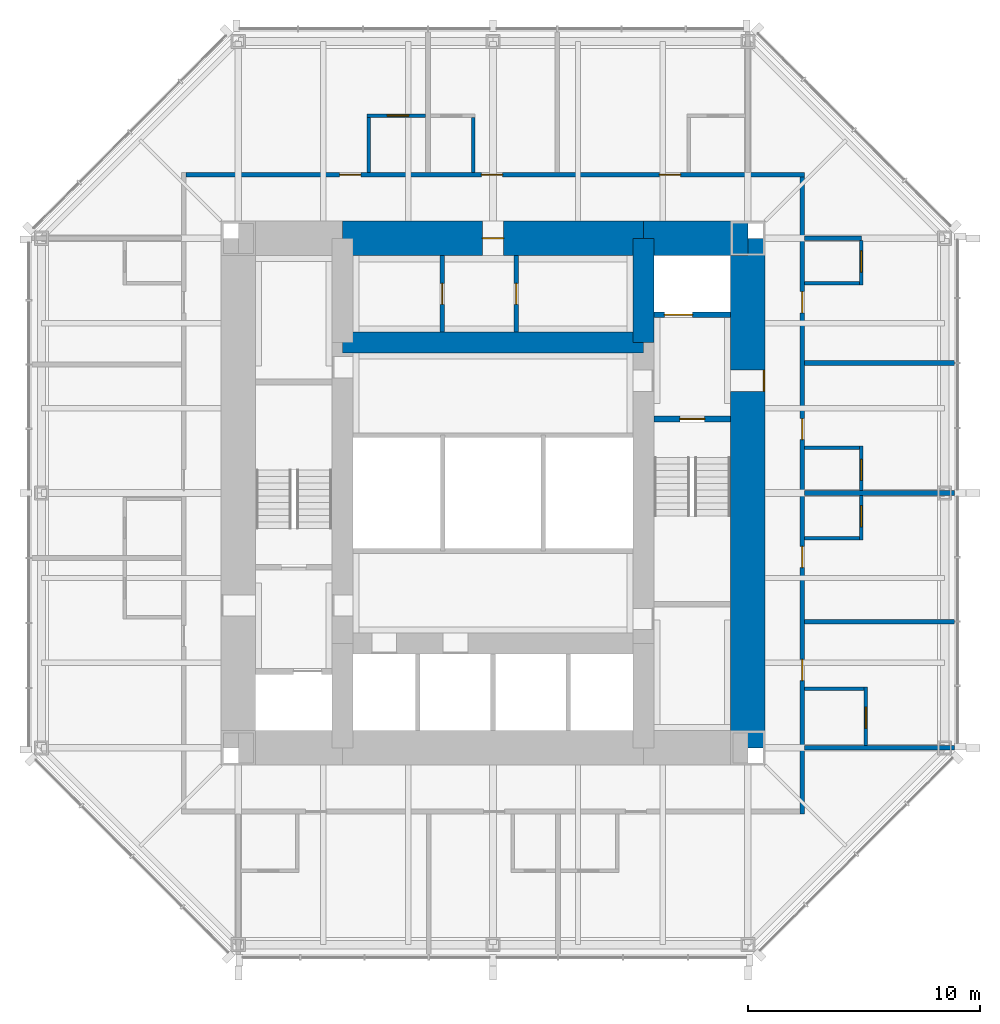
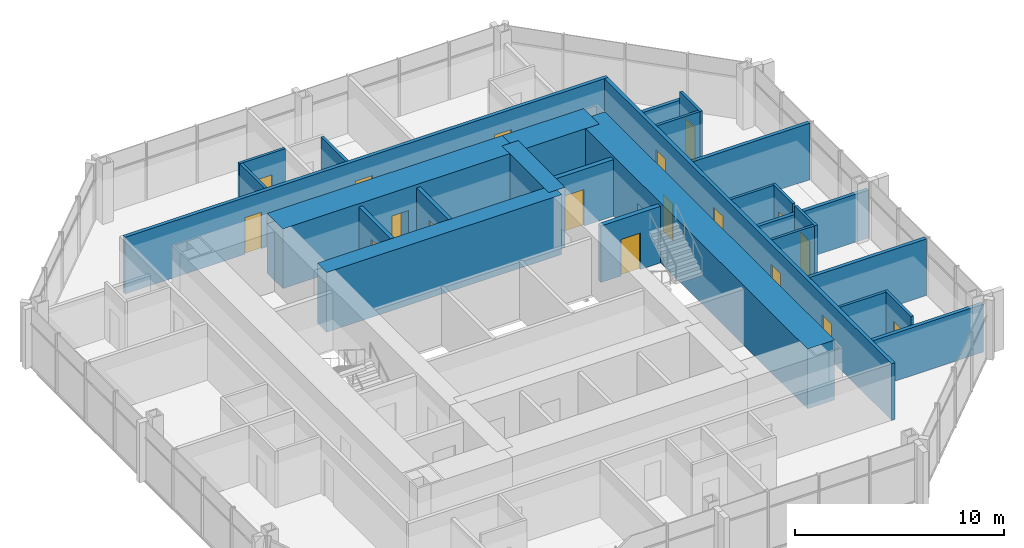
# One storey, part 9 of 11: 27 walls, 18 doors, 18 openings.
"""IFC4 building model written with IfcOpenShell, lengths in metres."""

from ifc_helpers import new_model, si_unit, direction, frame, frame_2d, origin, place, context, subcontext, project, spatial, rectangle, extrude, material, layer, layer_set, type_object, element, fill, save


model = new_model("IFC4")

# Units and contexts
model_context = context("Model", 3, precision=1e-05, world=origin(), true_north=direction((0.0, 1.0)))
body_context = subcontext(model_context, "Body", "Model", "MODEL_VIEW")
ifc_project = project(units=[si_unit("LENGTHUNIT", "METRE"), si_unit("AREAUNIT", "SQUARE_METRE"), si_unit("VOLUMEUNIT", "CUBIC_METRE"), si_unit("PLANEANGLEUNIT", "RADIAN"), si_unit("MASSUNIT", "GRAM", prefix="KILO")], contexts=[model_context])

# Site, building, storey
site_placement = place(None, origin())
site = spatial("IfcSite", under=ifc_project, at=site_placement, CompositionType="ELEMENT")
building_placement = place(site_placement, origin())
building = spatial("IfcBuilding", under=site, at=building_placement, Name="Trevanion Tower", CompositionType="ELEMENT")
storey_placement = place(building_placement, frame((0.0, 0.0, 215.199951171875)))
storey = spatial("IfcBuildingStorey", under=building, at=storey_placement, Name="L51", CompositionType="ELEMENT", Elevation=215.199951171875)

# Wall, opening, door
ifc_material_1 = material(Name="Concrete 10,000 psi", Category="concrete")
ifc_layer_1 = layer(ifc_material_1, 1.5)
ifc_layer_set_1 = layer_set([ifc_layer_1], Name="CW1 core wall 1500")
wall_type_1 = type_object("IfcWallType", Name="CW1 core wall 1500", PredefinedType="SHEAR", material=ifc_layer_set_1)
wall_1_placement = place(storey_placement, frame((11.0, -11.0, 0.0), z_axis=(0.0, 0.0, 1.0), x_axis=(0.0, 1.0, 0.0)))
wall_1 = element("IfcWall", 1, at=wall_1_placement, inside=storey, type_object=wall_type_1, Name="CW1 CE L51", PredefinedType="SHEAR", context=body_context, shape_type="SweptSolid", body=[
    extrude(rectangle(XDim=22.0, YDim=1.5, at=frame_2d((11.0, 0.0))), origin(), (0.0, 0.0, 1.0), 3.5),
])
opening_1_placement = place(wall_1_placement, frame((15.392578125, 0.0, 0.0)))
opening_1 = element("IfcOpeningElement", 2, at=opening_1_placement, cuts=wall_1, Name="Opening 51-001", PredefinedType="OPENING", context=body_context, shape_type="SweptSolid", body=[
    extrude(rectangle(XDim=0.9150390625, YDim=2.134033203125, at=frame_2d((0.45751953125, 1.06689453125))), frame((0.0, 0.760009765625, 0.0), z_axis=(0.0, -1.0, 0.0), x_axis=(1.0, 0.0, 0.0)), (0.0, 0.0, 1.0), 1.52001953125),
])
ifc_material_2 = material(Name="Hollow metal, fire rated", Category="steel")
door_type_1 = type_object("IfcDoorType", Name="D3 fire lift lobby door", OperationType="SINGLE_SWING_RIGHT", PredefinedType="DOOR", material=ifc_material_2)
door_1_placement = place(opening_1_placement, origin())
door_1 = element("IfcDoor", 3, at=door_1_placement, inside=storey, type_object=door_type_1, Name="Door 51-001", OperationType="SINGLE_SWING_RIGHT", OverallHeight=2.134033203125, OverallWidth=0.9150390625, PredefinedType="DOOR", context=body_context, shape_type="SweptSolid", body=[
    extrude(rectangle(XDim=0.9150390625, YDim=2.134033203125, at=frame_2d((0.45751953125, 1.06689453125))), frame((0.0, -0.6748046875, 0.0), z_axis=(0.0, -1.0, 0.0), x_axis=(1.0, 0.0, 0.0)), (0.0, 0.0, 1.0), 0.050048828125),
])
fill(opening_1, door_1)

# Wall
wall_2_placement = place(storey_placement, frame((11.0, 11.0, 0.0), z_axis=(0.0, 0.0, 1.0), x_axis=(-1.0, 0.0, 0.0)))
element("IfcWall", 4, at=wall_2_placement, inside=storey, type_object=wall_type_1, Name="CW1 CN1 L51", PredefinedType="SHEAR", context=body_context, shape_type="SweptSolid", body=[
    extrude(rectangle(XDim=4.5, YDim=1.5, at=frame_2d((2.25, 0.0))), origin(), (0.0, 0.0, 1.0), 3.5),
])

# Wall, opening, door
wall_3_placement = place(storey_placement, frame((6.5, 11.0, 0.0), z_axis=(0.0, 0.0, 1.0), x_axis=(-1.0, 0.0, 0.0)))
wall_3 = element("IfcWall", 5, at=wall_3_placement, inside=storey, type_object=wall_type_1, Name="CW1 CN2 L51", PredefinedType="SHEAR", context=body_context, shape_type="SweptSolid", body=[
    extrude(rectangle(XDim=13.0, YDim=1.5, at=frame_2d((6.5, 0.0))), origin(), (0.0, 0.0, 1.0), 3.5),
])
opening_2_placement = place(wall_3_placement, frame((6.04248046875, 0.0, 0.0)))
opening_2 = element("IfcOpeningElement", 6, at=opening_2_placement, cuts=wall_3, Name="Opening 51-013", PredefinedType="OPENING", context=body_context, shape_type="SweptSolid", body=[
    extrude(rectangle(XDim=0.9150390625, YDim=2.134033203125, at=frame_2d((0.45751953125, 1.06689453125))), frame((0.0, 0.760009765625, 0.0), z_axis=(0.0, -1.0, 0.0), x_axis=(1.0, 0.0, 0.0)), (0.0, 0.0, 1.0), 1.52001953125),
])
ifc_material_3 = material(Name="Hollow metal, fire rated", Category="steel")
door_type_2 = type_object("IfcDoorType", Name="D5 service room door", OperationType="SINGLE_SWING_RIGHT", PredefinedType="DOOR", material=ifc_material_3)
door_2_placement = place(opening_2_placement, origin())
door_2 = element("IfcDoor", 7, at=door_2_placement, inside=storey, type_object=door_type_2, Name="Door 51-013", OperationType="SINGLE_SWING_RIGHT", OverallHeight=2.134033203125, OverallWidth=0.9150390625, PredefinedType="DOOR", context=body_context, shape_type="SweptSolid", body=[
    extrude(rectangle(XDim=0.9150390625, YDim=2.134033203125, at=frame_2d((0.45751953125, 1.06689453125))), frame((0.0, 0.02490234375, 0.0), z_axis=(0.0, -1.0, 0.0), x_axis=(1.0, 0.0, 0.0)), (0.0, 0.0, 1.0), 0.050048828125),
])
fill(opening_2, door_2)

# Walls
ifc_material_4 = material(Name="Concrete 10,000 psi", Category="concrete")
ifc_layer_2 = layer(ifc_material_4, 0.89990234375)
ifc_layer_set_2 = layer_set([ifc_layer_2], Name="CW2 core wall 900")
wall_type_2 = type_object("IfcWallType", Name="CW2 core wall 900", PredefinedType="SHEAR", material=ifc_layer_set_2)
wall_4_placement = place(storey_placement, frame((6.5, 6.5, 0.0), z_axis=(0.0, 0.0, 1.0), x_axis=(0.0, 1.0, 0.0)))
element("IfcWall", 8, at=wall_4_placement, inside=storey, type_object=wall_type_2, Name="CW2 RE3 L51", PredefinedType="SHEAR", context=body_context, shape_type="SweptSolid", body=[
    extrude(rectangle(XDim=4.5, YDim=0.89990234375, at=frame_2d((2.25, 0.0))), origin(), (0.0, 0.0, 1.0), 3.5),
])
wall_5_placement = place(storey_placement, frame((6.5, 6.5, 0.0), z_axis=(0.0, 0.0, 1.0), x_axis=(-1.0, 0.0, 0.0)))
element("IfcWall", 9, at=wall_5_placement, inside=storey, type_object=wall_type_2, Name="CW2 RN L51", PredefinedType="SHEAR", context=body_context, shape_type="SweptSolid", body=[
    extrude(rectangle(XDim=13.0, YDim=0.89990234375, at=frame_2d((6.5, 0.0))), origin(), (0.0, 0.0, 1.0), 3.5),
])

# Wall, opening, door
ifc_material_5 = material(Name="Gypsum board on steel studs", Category="steel")
ifc_layer_3 = layer(ifc_material_5, 0.14990234375)
ifc_layer_set_3 = layer_set([ifc_layer_3], Name="PT1 partition 150")
wall_type_3 = type_object("IfcWallType", Name="PT1 partition 150", PredefinedType="PARTITIONING", material=ifc_layer_set_3)
wall_6_placement = place(storey_placement, frame((16.10009765625, -10.89990234375, 0.0), z_axis=(0.0, 0.0, 1.0), x_axis=(0.0, 1.0, 0.0)))
wall_6 = element("IfcWall", 10, at=wall_6_placement, inside=storey, type_object=wall_type_3, Name="PT1 L51 BA00", PredefinedType="PARTITIONING", context=body_context, shape_type="SweptSolid", body=[
    extrude(rectangle(XDim=2.52490234375, YDim=0.14990234375, at=frame_2d((1.262451171875, 0.0))), origin(), (0.0, 0.0, 1.0), 3.31005859375),
])
opening_3_placement = place(wall_6_placement, frame((0.742431640625, 0.0, 0.0)))
opening_3 = element("IfcOpeningElement", 11, at=opening_3_placement, cuts=wall_6, Name="Opening 51-016", PredefinedType="OPENING", context=body_context, shape_type="SweptSolid", body=[
    extrude(rectangle(XDim=0.9150390625, YDim=2.031982421875, at=frame_2d((0.45751953125, 1.01611328125))), frame((0.0, 0.0849609375, 0.0), z_axis=(0.0, -1.0, 0.0), x_axis=(1.0, 0.0, 0.0)), (0.0, 0.0, 1.0), 0.169921875),
])
ifc_material_6 = material(Name="Timber veneer", Category="wood")
door_type_3 = type_object("IfcDoorType", Name="D7 bathroom door", OperationType="SINGLE_SWING_LEFT", PredefinedType="DOOR", material=ifc_material_6)
door_3_placement = place(opening_3_placement, origin())
door_3 = element("IfcDoor", 12, at=door_3_placement, inside=storey, type_object=door_type_3, Name="Door 51-016", OperationType="SINGLE_SWING_LEFT", OverallHeight=2.031982421875, OverallWidth=0.9150390625, PredefinedType="DOOR", context=body_context, shape_type="SweptSolid", body=[
    extrude(rectangle(XDim=0.9150390625, YDim=2.031982421875, at=frame_2d((0.45751953125, 1.01611328125))), frame((0.0, 0.02490234375, 0.0), z_axis=(0.0, -1.0, 0.0), x_axis=(1.0, 0.0, 0.0)), (0.0, 0.0, 1.0), 0.050048828125),
])
fill(opening_3, door_3)

# Wall
wall_7_placement = place(storey_placement, frame((13.449951171875, -8.449951171875, 0.0), z_axis=(0.0, 0.0, 1.0), x_axis=(1.0, 0.0, 0.0)))
element("IfcWall", 13, at=wall_7_placement, inside=storey, type_object=wall_type_3, Name="PT1 L51 BB00", PredefinedType="PARTITIONING", context=body_context, shape_type="SweptSolid", body=[
    extrude(rectangle(XDim=2.574951171875, YDim=0.14990234375, at=frame_2d((1.28759765625, 0.0))), origin(), (0.0, 0.0, 1.0), 3.31005859375),
])

# Wall, opening, door
wall_8_placement = place(storey_placement, frame((15.89990234375, -2.02490234375, 0.0), z_axis=(0.0, 0.0, 1.0), x_axis=(0.0, 1.0, 0.0)))
wall_8 = element("IfcWall", 14, at=wall_8_placement, inside=storey, type_object=wall_type_3, Name="PT1 L51 BA01", PredefinedType="PARTITIONING", context=body_context, shape_type="SweptSolid", body=[
    extrude(rectangle(XDim=1.9248046875, YDim=0.14990234375, at=frame_2d((0.96240234375, 0.0))), origin(), (0.0, 0.0, 1.0), 3.31005859375),
])
opening_4_placement = place(wall_8_placement, frame((0.5673828125, 0.0, 0.0)))
opening_4 = element("IfcOpeningElement", 15, at=opening_4_placement, cuts=wall_8, Name="Opening 51-018", PredefinedType="OPENING", context=body_context, shape_type="SweptSolid", body=[
    extrude(rectangle(XDim=0.9150390625, YDim=2.031982421875, at=frame_2d((0.45751953125, 1.01611328125))), frame((0.0, 0.0849609375, 0.0), z_axis=(0.0, -1.0, 0.0), x_axis=(1.0, 0.0, 0.0)), (0.0, 0.0, 1.0), 0.169921875),
])
door_4_placement = place(opening_4_placement, origin())
door_4 = element("IfcDoor", 16, at=door_4_placement, inside=storey, type_object=door_type_3, Name="Door 51-018", OperationType="SINGLE_SWING_LEFT", OverallHeight=2.031982421875, OverallWidth=0.9150390625, PredefinedType="DOOR", context=body_context, shape_type="SweptSolid", body=[
    extrude(rectangle(XDim=0.9150390625, YDim=2.031982421875, at=frame_2d((0.45751953125, 1.01611328125))), frame((0.0, 0.02490234375, 0.0), z_axis=(0.0, -1.0, 0.0), x_axis=(1.0, 0.0, 0.0)), (0.0, 0.0, 1.0), 0.050048828125),
])
fill(opening_4, door_4)

# Wall
wall_9_placement = place(storey_placement, frame((13.449951171875, -1.949951171875, 0.0), z_axis=(0.0, 0.0, 1.0), x_axis=(1.0, 0.0, 0.0)))
element("IfcWall", 17, at=wall_9_placement, inside=storey, type_object=wall_type_3, Name="PT1 L51 BB01", PredefinedType="PARTITIONING", context=body_context, shape_type="SweptSolid", body=[
    extrude(rectangle(XDim=2.375, YDim=0.14990234375, at=frame_2d((1.1875, 0.0))), origin(), (0.0, 0.0, 1.0), 3.31005859375),
])

# Wall, opening, door
wall_10_placement = place(storey_placement, frame((15.89990234375, 0.10009765625, 0.0), z_axis=(0.0, 0.0, 1.0), x_axis=(0.0, 1.0, 0.0)))
wall_10 = element("IfcWall", 18, at=wall_10_placement, inside=storey, type_object=wall_type_3, Name="PT1 L51 BA02", PredefinedType="PARTITIONING", context=body_context, shape_type="SweptSolid", body=[
    extrude(rectangle(XDim=1.9248046875, YDim=0.14990234375, at=frame_2d((0.96240234375, 0.0))), origin(), (0.0, 0.0, 1.0), 3.31005859375),
])
opening_5_placement = place(wall_10_placement, frame((0.4423828125, 0.0, 0.0)))
opening_5 = element("IfcOpeningElement", 19, at=opening_5_placement, cuts=wall_10, Name="Opening 51-020", PredefinedType="OPENING", context=body_context, shape_type="SweptSolid", body=[
    extrude(rectangle(XDim=0.9150390625, YDim=2.031982421875, at=frame_2d((0.45751953125, 1.01611328125))), frame((0.0, 0.0849609375, 0.0), z_axis=(0.0, -1.0, 0.0), x_axis=(1.0, 0.0, 0.0)), (0.0, 0.0, 1.0), 0.169921875),
])
door_5_placement = place(opening_5_placement, origin())
door_5 = element("IfcDoor", 20, at=door_5_placement, inside=storey, type_object=door_type_3, Name="Door 51-020", OperationType="SINGLE_SWING_LEFT", OverallHeight=2.031982421875, OverallWidth=0.9150390625, PredefinedType="DOOR", context=body_context, shape_type="SweptSolid", body=[
    extrude(rectangle(XDim=0.9150390625, YDim=2.031982421875, at=frame_2d((0.45751953125, 1.01611328125))), frame((0.0, 0.02490234375, 0.0), z_axis=(0.0, -1.0, 0.0), x_axis=(1.0, 0.0, 0.0)), (0.0, 0.0, 1.0), 0.050048828125),
])
fill(opening_5, door_5)

# Wall
wall_11_placement = place(storey_placement, frame((13.449951171875, 1.949951171875, 0.0), z_axis=(0.0, 0.0, 1.0), x_axis=(1.0, 0.0, 0.0)))
element("IfcWall", 21, at=wall_11_placement, inside=storey, type_object=wall_type_3, Name="PT1 L51 BB02", PredefinedType="PARTITIONING", context=body_context, shape_type="SweptSolid", body=[
    extrude(rectangle(XDim=2.375, YDim=0.14990234375, at=frame_2d((1.1875, 0.0))), origin(), (0.0, 0.0, 1.0), 3.31005859375),
])

# Wall, opening, door
wall_12_placement = place(storey_placement, frame((15.89990234375, 8.97509765625, 0.0), z_axis=(0.0, 0.0, 1.0), x_axis=(0.0, 1.0, 0.0)))
wall_12 = element("IfcWall", 22, at=wall_12_placement, inside=storey, type_object=wall_type_3, Name="PT1 L51 BA03", PredefinedType="PARTITIONING", context=body_context, shape_type="SweptSolid", body=[
    extrude(rectangle(XDim=1.9248046875, YDim=0.14990234375, at=frame_2d((0.96240234375, 0.0))), origin(), (0.0, 0.0, 1.0), 3.31005859375),
])
opening_6_placement = place(wall_12_placement, frame((0.5673828125, 0.0, 0.0)))
opening_6 = element("IfcOpeningElement", 23, at=opening_6_placement, cuts=wall_12, Name="Opening 51-022", PredefinedType="OPENING", context=body_context, shape_type="SweptSolid", body=[
    extrude(rectangle(XDim=0.9150390625, YDim=2.031982421875, at=frame_2d((0.45751953125, 1.01611328125))), frame((0.0, 0.0849609375, 0.0), z_axis=(0.0, -1.0, 0.0), x_axis=(1.0, 0.0, 0.0)), (0.0, 0.0, 1.0), 0.169921875),
])
door_6_placement = place(opening_6_placement, origin())
door_6 = element("IfcDoor", 24, at=door_6_placement, inside=storey, type_object=door_type_3, Name="Door 51-022", OperationType="SINGLE_SWING_LEFT", OverallHeight=2.031982421875, OverallWidth=0.9150390625, PredefinedType="DOOR", context=body_context, shape_type="SweptSolid", body=[
    extrude(rectangle(XDim=0.9150390625, YDim=2.031982421875, at=frame_2d((0.45751953125, 1.01611328125))), frame((0.0, 0.02490234375, 0.0), z_axis=(0.0, -1.0, 0.0), x_axis=(1.0, 0.0, 0.0)), (0.0, 0.0, 1.0), 0.050048828125),
])
fill(opening_6, door_6)

# Walls
for number, where, z_axis, x_axis, name in (
    (25, (13.449951171875, 9.050048828125, 0.0), (0.0, 0.0, 1.0), (1.0, 0.0, 0.0), "PT1 L51 BB03"),
    (26, (-0.85693359375, 13.85009765625, 0.0), (0.0, 0.0, 1.0), (0.0, 1.0, 0.0), "PT1 L51 BB11"),
):
    element("IfcWall", number, at=place(storey_placement, frame(where, z_axis=z_axis, x_axis=x_axis)), inside=storey, type_object=wall_type_3, Name=name, PredefinedType="PARTITIONING", context=body_context, shape_type="SweptSolid", body=[
        extrude(rectangle(XDim=2.375, YDim=0.14990234375, at=frame_2d((1.1875, 0.0))), origin(), (0.0, 0.0, 1.0), 3.31005859375),
    ])

# Wall, opening, door
wall_13_placement = place(storey_placement, frame((-2.906982421875, 16.300048828125, 0.0), z_axis=(0.0, 0.0, 1.0), x_axis=(-1.0, 0.0, 0.0)))
wall_13 = element("IfcWall", 27, at=wall_13_placement, inside=storey, type_object=wall_type_3, Name="PT1 L51 BA12", PredefinedType="PARTITIONING", context=body_context, shape_type="SweptSolid", body=[
    extrude(rectangle(XDim=2.52490234375, YDim=0.14990234375, at=frame_2d((1.262451171875, 0.0))), origin(), (0.0, 0.0, 1.0), 3.31005859375),
])
opening_7_placement = place(wall_13_placement, frame((0.742431640625, 0.0, 0.0)))
opening_7 = element("IfcOpeningElement", 28, at=opening_7_placement, cuts=wall_13, Name="Opening 51-028", PredefinedType="OPENING", context=body_context, shape_type="SweptSolid", body=[
    extrude(rectangle(XDim=0.9150390625, YDim=2.031982421875, at=frame_2d((0.45751953125, 1.01611328125))), frame((0.0, 0.0849609375, 0.0), z_axis=(0.0, -1.0, 0.0), x_axis=(1.0, 0.0, 0.0)), (0.0, 0.0, 1.0), 0.169921875),
])
door_7_placement = place(opening_7_placement, origin())
door_7 = element("IfcDoor", 29, at=door_7_placement, inside=storey, type_object=door_type_3, Name="Door 51-028", OperationType="SINGLE_SWING_LEFT", OverallHeight=2.031982421875, OverallWidth=0.9150390625, PredefinedType="DOOR", context=body_context, shape_type="SweptSolid", body=[
    extrude(rectangle(XDim=0.9150390625, YDim=2.031982421875, at=frame_2d((0.45751953125, 1.01611328125))), frame((0.0, 0.02490234375, 0.0), z_axis=(0.0, -1.0, 0.0), x_axis=(1.0, 0.0, 0.0)), (0.0, 0.0, 1.0), 0.050048828125),
])
fill(opening_7, door_7)

# Wall
wall_14_placement = place(storey_placement, frame((-5.35693359375, 13.85009765625, 0.0), z_axis=(0.0, 0.0, 1.0), x_axis=(0.0, 1.0, 0.0)))
element("IfcWall", 30, at=wall_14_placement, inside=storey, type_object=wall_type_3, Name="PT1 L51 BB12", PredefinedType="PARTITIONING", context=body_context, shape_type="SweptSolid", body=[
    extrude(rectangle(XDim=2.375, YDim=0.14990234375, at=frame_2d((1.1875, 0.0))), origin(), (0.0, 0.0, 1.0), 3.31005859375),
])

# Wall, opening, door
ifc_material_7 = material(Name="Concrete masonry, grouted", Category="masonry")
ifc_layer_4 = layer(ifc_material_7, 0.199951171875)
ifc_layer_set_4 = layer_set([ifc_layer_4], Name="PT2 partition 200 1 HR")
wall_type_4 = type_object("IfcWallType", Name="PT2 partition 200 1 HR", PredefinedType="PARTITIONING", material=ifc_layer_set_4)
wall_15_placement = place(storey_placement, frame((-2.199951171875, 6.949951171875, 0.0), z_axis=(0.0, 0.0, 1.0), x_axis=(0.0, 1.0, 0.0)))
wall_15 = element("IfcWall", 31, at=wall_15_placement, inside=storey, type_object=wall_type_4, Name="PT2 L51 HKP1", PredefinedType="PARTITIONING", context=body_context, shape_type="SweptSolid", body=[
    extrude(rectangle(XDim=3.300048828125, YDim=0.199951171875, at=frame_2d((1.64990234375, 0.0))), origin(), (0.0, 0.0, 1.0), 3.31005859375),
])
opening_8_placement = place(wall_15_placement, frame((1.1923828125, 0.0, 0.0)))
opening_8 = element("IfcOpeningElement", 32, at=opening_8_placement, cuts=wall_15, Name="Opening 51-014", PredefinedType="OPENING", context=body_context, shape_type="SweptSolid", body=[
    extrude(rectangle(XDim=0.9150390625, YDim=2.134033203125, at=frame_2d((0.45751953125, 1.06689453125))), frame((0.0, 0.10986328125, 0.0), z_axis=(0.0, -1.0, 0.0), x_axis=(1.0, 0.0, 0.0)), (0.0, 0.0, 1.0), 0.219970703125),
])
door_8_placement = place(opening_8_placement, origin())
door_8 = element("IfcDoor", 33, at=door_8_placement, inside=storey, type_object=door_type_2, Name="Door 51-014", OperationType="SINGLE_SWING_RIGHT", OverallHeight=2.134033203125, OverallWidth=0.9150390625, PredefinedType="DOOR", context=body_context, shape_type="SweptSolid", body=[
    extrude(rectangle(XDim=0.9150390625, YDim=2.134033203125, at=frame_2d((0.45751953125, 1.06689453125))), frame((0.0, 0.02490234375, 0.0), z_axis=(0.0, -1.0, 0.0), x_axis=(1.0, 0.0, 0.0)), (0.0, 0.0, 1.0), 0.050048828125),
])
fill(opening_8, door_8)

wall_16_placement = place(storey_placement, frame((1.0, 6.949951171875, 0.0), z_axis=(0.0, 0.0, 1.0), x_axis=(0.0, 1.0, 0.0)))
wall_16 = element("IfcWall", 34, at=wall_16_placement, inside=storey, type_object=wall_type_4, Name="PT2 L51 HKP2", PredefinedType="PARTITIONING", context=body_context, shape_type="SweptSolid", body=[
    extrude(rectangle(XDim=3.300048828125, YDim=0.199951171875, at=frame_2d((1.64990234375, 0.0))), origin(), (0.0, 0.0, 1.0), 3.31005859375),
])
opening_9_placement = place(wall_16_placement, frame((1.1923828125, 0.0, 0.0)))
opening_9 = element("IfcOpeningElement", 35, at=opening_9_placement, cuts=wall_16, Name="Opening 51-015", PredefinedType="OPENING", context=body_context, shape_type="SweptSolid", body=[
    extrude(rectangle(XDim=0.9150390625, YDim=2.134033203125, at=frame_2d((0.45751953125, 1.06689453125))), frame((0.0, 0.10986328125, 0.0), z_axis=(0.0, -1.0, 0.0), x_axis=(1.0, 0.0, 0.0)), (0.0, 0.0, 1.0), 0.219970703125),
])
door_9_placement = place(opening_9_placement, origin())
door_9 = element("IfcDoor", 36, at=door_9_placement, inside=storey, type_object=door_type_2, Name="Door 51-015", OperationType="SINGLE_SWING_RIGHT", OverallHeight=2.134033203125, OverallWidth=0.9150390625, PredefinedType="DOOR", context=body_context, shape_type="SweptSolid", body=[
    extrude(rectangle(XDim=0.9150390625, YDim=2.134033203125, at=frame_2d((0.45751953125, 1.06689453125))), frame((0.0, 0.02490234375, 0.0), z_axis=(0.0, -1.0, 0.0), x_axis=(1.0, 0.0, 0.0)), (0.0, 0.0, 1.0), 0.050048828125),
])
fill(opening_9, door_9)

# Wall, openings, doors
wall_17_placement = place(storey_placement, frame((13.35009765625, -13.85009765625, 0.0), z_axis=(0.0, 0.0, 1.0), x_axis=(0.0, 1.0, 0.0)))
wall_17 = element("IfcWall", 37, at=wall_17_placement, inside=storey, type_object=wall_type_4, Name="PT2 L51 HC0", PredefinedType="PARTITIONING", context=body_context, shape_type="SweptSolid", body=[
    extrude(rectangle(XDim=27.5, YDim=0.199951171875, at=frame_2d((13.75, 0.0))), origin(), (0.0, 0.0, 1.0), 3.31005859375),
])
opening_10_placement = place(wall_17_placement, frame((5.75244140625, 0.0, 0.0)))
opening_10 = element("IfcOpeningElement", 38, at=opening_10_placement, cuts=wall_17, Name="Opening 51-017", PredefinedType="OPENING", context=body_context, shape_type="SweptSolid", body=[
    extrude(rectangle(XDim=0.9150390625, YDim=2.134033203125, at=frame_2d((0.45751953125, 1.06689453125))), frame((0.0, 0.10986328125, 0.0), z_axis=(0.0, -1.0, 0.0), x_axis=(1.0, 0.0, 0.0)), (0.0, 0.0, 1.0), 0.219970703125),
])
opening_11_placement = place(wall_17_placement, frame((10.632568359375, 0.0, 0.0)))
opening_11 = element("IfcOpeningElement", 39, at=opening_11_placement, cuts=wall_17, Name="Opening 51-019", PredefinedType="OPENING", context=body_context, shape_type="SweptSolid", body=[
    extrude(rectangle(XDim=0.9150390625, YDim=2.134033203125, at=frame_2d((0.45751953125, 1.06689453125))), frame((0.0, 0.10986328125, 0.0), z_axis=(0.0, -1.0, 0.0), x_axis=(1.0, 0.0, 0.0)), (0.0, 0.0, 1.0), 0.219970703125),
])
opening_12_placement = place(wall_17_placement, frame((16.152587890625, 0.0, 0.0)))
opening_12 = element("IfcOpeningElement", 40, at=opening_12_placement, cuts=wall_17, Name="Opening 51-021", PredefinedType="OPENING", context=body_context, shape_type="SweptSolid", body=[
    extrude(rectangle(XDim=0.9150390625, YDim=2.134033203125, at=frame_2d((0.45751953125, 1.06689453125))), frame((0.0, 0.10986328125, 0.0), z_axis=(0.0, -1.0, 0.0), x_axis=(1.0, 0.0, 0.0)), (0.0, 0.0, 1.0), 0.219970703125),
])
opening_13_placement = place(wall_17_placement, frame((21.632568359375, 0.0, 0.0)))
opening_13 = element("IfcOpeningElement", 41, at=opening_13_placement, cuts=wall_17, Name="Opening 51-023", PredefinedType="OPENING", context=body_context, shape_type="SweptSolid", body=[
    extrude(rectangle(XDim=0.9150390625, YDim=2.134033203125, at=frame_2d((0.45751953125, 1.06689453125))), frame((0.0, 0.10986328125, 0.0), z_axis=(0.0, -1.0, 0.0), x_axis=(1.0, 0.0, 0.0)), (0.0, 0.0, 1.0), 0.219970703125),
])
ifc_material_8 = material(Name="Timber veneer, fire rated", Category="wood")
door_type_4 = type_object("IfcDoorType", Name="D6 guest room entrance door", OperationType="SINGLE_SWING_LEFT", PredefinedType="DOOR", material=ifc_material_8)
door_10_placement = place(opening_10_placement, origin())
door_10 = element("IfcDoor", 42, at=door_10_placement, inside=storey, type_object=door_type_4, Name="Door 51-017", OperationType="SINGLE_SWING_LEFT", OverallHeight=2.134033203125, OverallWidth=0.9150390625, PredefinedType="DOOR", context=body_context, shape_type="SweptSolid", body=[
    extrude(rectangle(XDim=0.9150390625, YDim=2.134033203125, at=frame_2d((0.45751953125, 1.06689453125))), frame((0.0, 0.02490234375, 0.0), z_axis=(0.0, -1.0, 0.0), x_axis=(1.0, 0.0, 0.0)), (0.0, 0.0, 1.0), 0.050048828125),
])
fill(opening_10, door_10)
door_11_placement = place(opening_11_placement, origin())
door_11 = element("IfcDoor", 43, at=door_11_placement, inside=storey, type_object=door_type_4, Name="Door 51-019", OperationType="SINGLE_SWING_LEFT", OverallHeight=2.134033203125, OverallWidth=0.9150390625, PredefinedType="DOOR", context=body_context, shape_type="SweptSolid", body=[
    extrude(rectangle(XDim=0.9150390625, YDim=2.134033203125, at=frame_2d((0.45751953125, 1.06689453125))), frame((0.0, 0.02490234375, 0.0), z_axis=(0.0, -1.0, 0.0), x_axis=(1.0, 0.0, 0.0)), (0.0, 0.0, 1.0), 0.050048828125),
])
fill(opening_11, door_11)
door_12_placement = place(opening_12_placement, origin())
door_12 = element("IfcDoor", 44, at=door_12_placement, inside=storey, type_object=door_type_4, Name="Door 51-021", OperationType="SINGLE_SWING_LEFT", OverallHeight=2.134033203125, OverallWidth=0.9150390625, PredefinedType="DOOR", context=body_context, shape_type="SweptSolid", body=[
    extrude(rectangle(XDim=0.9150390625, YDim=2.134033203125, at=frame_2d((0.45751953125, 1.06689453125))), frame((0.0, 0.02490234375, 0.0), z_axis=(0.0, -1.0, 0.0), x_axis=(1.0, 0.0, 0.0)), (0.0, 0.0, 1.0), 0.050048828125),
])
fill(opening_12, door_12)
door_13_placement = place(opening_13_placement, origin())
door_13 = element("IfcDoor", 45, at=door_13_placement, inside=storey, type_object=door_type_4, Name="Door 51-023", OperationType="SINGLE_SWING_LEFT", OverallHeight=2.134033203125, OverallWidth=0.9150390625, PredefinedType="DOOR", context=body_context, shape_type="SweptSolid", body=[
    extrude(rectangle(XDim=0.9150390625, YDim=2.134033203125, at=frame_2d((0.45751953125, 1.06689453125))), frame((0.0, 0.02490234375, 0.0), z_axis=(0.0, -1.0, 0.0), x_axis=(1.0, 0.0, 0.0)), (0.0, 0.0, 1.0), 0.050048828125),
])
fill(opening_13, door_13)

wall_18_placement = place(storey_placement, frame((13.449951171875, 13.75, 0.0), z_axis=(0.0, 0.0, 1.0), x_axis=(-1.0, 0.0, 0.0)))
wall_18 = element("IfcWall", 46, at=wall_18_placement, inside=storey, type_object=wall_type_4, Name="PT2 L51 HC1", PredefinedType="PARTITIONING", context=body_context, shape_type="SweptSolid", body=[
    extrude(rectangle(XDim=26.699951171875, YDim=0.199951171875, at=frame_2d((13.35009765625, 0.0))), origin(), (0.0, 0.0, 1.0), 3.31005859375),
])
opening_14_placement = place(wall_18_placement, frame((5.3525390625, 0.0, 0.0)))
opening_14 = element("IfcOpeningElement", 47, at=opening_14_placement, cuts=wall_18, Name="Opening 51-025", PredefinedType="OPENING", context=body_context, shape_type="SweptSolid", body=[
    extrude(rectangle(XDim=0.9150390625, YDim=2.134033203125, at=frame_2d((0.45751953125, 1.06689453125))), frame((0.0, 0.10986328125, 0.0), z_axis=(0.0, -1.0, 0.0), x_axis=(1.0, 0.0, 0.0)), (0.0, 0.0, 1.0), 0.219970703125),
])
opening_15_placement = place(wall_18_placement, frame((13.03955078125, 0.0, 0.0)))
opening_15 = element("IfcOpeningElement", 48, at=opening_15_placement, cuts=wall_18, Name="Opening 51-027", PredefinedType="OPENING", context=body_context, shape_type="SweptSolid", body=[
    extrude(rectangle(XDim=0.9150390625, YDim=2.134033203125, at=frame_2d((0.45751953125, 1.06689453125))), frame((0.0, 0.10986328125, 0.0), z_axis=(0.0, -1.0, 0.0), x_axis=(1.0, 0.0, 0.0)), (0.0, 0.0, 1.0), 0.219970703125),
])
opening_16_placement = place(wall_18_placement, frame((19.159423828125, 0.0, 0.0)))
opening_16 = element("IfcOpeningElement", 49, at=opening_16_placement, cuts=wall_18, Name="Opening 51-029", PredefinedType="OPENING", context=body_context, shape_type="SweptSolid", body=[
    extrude(rectangle(XDim=0.9150390625, YDim=2.134033203125, at=frame_2d((0.45751953125, 1.06689453125))), frame((0.0, 0.10986328125, 0.0), z_axis=(0.0, -1.0, 0.0), x_axis=(1.0, 0.0, 0.0)), (0.0, 0.0, 1.0), 0.219970703125),
])
door_14_placement = place(opening_14_placement, origin())
door_14 = element("IfcDoor", 50, at=door_14_placement, inside=storey, type_object=door_type_4, Name="Door 51-025", OperationType="SINGLE_SWING_LEFT", OverallHeight=2.134033203125, OverallWidth=0.9150390625, PredefinedType="DOOR", context=body_context, shape_type="SweptSolid", body=[
    extrude(rectangle(XDim=0.9150390625, YDim=2.134033203125, at=frame_2d((0.45751953125, 1.06689453125))), frame((0.0, 0.02490234375, 0.0), z_axis=(0.0, -1.0, 0.0), x_axis=(1.0, 0.0, 0.0)), (0.0, 0.0, 1.0), 0.050048828125),
])
fill(opening_14, door_14)
door_15_placement = place(opening_15_placement, origin())
door_15 = element("IfcDoor", 51, at=door_15_placement, inside=storey, type_object=door_type_4, Name="Door 51-027", OperationType="SINGLE_SWING_LEFT", OverallHeight=2.134033203125, OverallWidth=0.9150390625, PredefinedType="DOOR", context=body_context, shape_type="SweptSolid", body=[
    extrude(rectangle(XDim=0.9150390625, YDim=2.134033203125, at=frame_2d((0.45751953125, 1.06689453125))), frame((0.0, 0.02490234375, 0.0), z_axis=(0.0, -1.0, 0.0), x_axis=(1.0, 0.0, 0.0)), (0.0, 0.0, 1.0), 0.050048828125),
])
fill(opening_15, door_15)
door_16_placement = place(opening_16_placement, origin())
door_16 = element("IfcDoor", 52, at=door_16_placement, inside=storey, type_object=door_type_4, Name="Door 51-029", OperationType="SINGLE_SWING_LEFT", OverallHeight=2.134033203125, OverallWidth=0.9150390625, PredefinedType="DOOR", context=body_context, shape_type="SweptSolid", body=[
    extrude(rectangle(XDim=0.9150390625, YDim=2.134033203125, at=frame_2d((0.45751953125, 1.06689453125))), frame((0.0, 0.02490234375, 0.0), z_axis=(0.0, -1.0, 0.0), x_axis=(1.0, 0.0, 0.0)), (0.0, 0.0, 1.0), 0.050048828125),
])
fill(opening_16, door_16)

# Walls
wall_19_placement = place(storey_placement, frame((13.449951171875, -11.0, 0.0), z_axis=(0.0, 0.0, 1.0), x_axis=(1.0, 0.0, 0.0)))
element("IfcWall", 53, at=wall_19_placement, inside=storey, type_object=wall_type_4, Name="PT2 L51 HD00", PredefinedType="PARTITIONING", context=body_context, shape_type="SweptSolid", body=[
    extrude(rectangle(XDim=6.465087890625, YDim=0.199951171875, at=frame_2d((3.232421875, 0.0))), origin(), (0.0, 0.0, 1.0), 2.802001953125),
])
wall_20_placement = place(storey_placement, frame((13.449951171875, -5.549072265625, 0.0), z_axis=(0.0, 0.0, 1.0), x_axis=(1.0, 0.0, 0.0)))
element("IfcWall", 54, at=wall_20_placement, inside=storey, type_object=wall_type_4, Name="PT2 L51 HD01", PredefinedType="PARTITIONING", context=body_context, shape_type="SweptSolid", body=[
    extrude(rectangle(XDim=6.465087890625, YDim=0.199951171875, at=frame_2d((3.232421875, 0.0))), origin(), (0.0, 0.0, 1.0), 3.31005859375),
])
wall_21_placement = place(storey_placement, frame((13.449951171875, 0.0, 0.0), z_axis=(0.0, 0.0, 1.0), x_axis=(1.0, 0.0, 0.0)))
element("IfcWall", 55, at=wall_21_placement, inside=storey, type_object=wall_type_4, Name="PT2 L51 HD02", PredefinedType="PARTITIONING", context=body_context, shape_type="SweptSolid", body=[
    extrude(rectangle(XDim=6.465087890625, YDim=0.199951171875, at=frame_2d((3.232421875, 0.0))), origin(), (0.0, 0.0, 1.0), 2.802001953125),
])
wall_22_placement = place(storey_placement, frame((13.449951171875, 5.614013671875, 0.0), z_axis=(0.0, 0.0, 1.0), x_axis=(1.0, 0.0, 0.0)))
element("IfcWall", 56, at=wall_22_placement, inside=storey, type_object=wall_type_4, Name="PT2 L51 HD03", PredefinedType="PARTITIONING", context=body_context, shape_type="SweptSolid", body=[
    extrude(rectangle(XDim=6.465087890625, YDim=0.199951171875, at=frame_2d((3.232421875, 0.0))), origin(), (0.0, 0.0, 1.0), 3.31005859375),
])
wall_23_placement = place(storey_placement, frame((13.449951171875, 11.0, 0.0), z_axis=(0.0, 0.0, 1.0), x_axis=(1.0, 0.0, 0.0)))
element("IfcWall", 57, at=wall_23_placement, inside=storey, type_object=wall_type_4, Name="PT2 L51 BC03", PredefinedType="PARTITIONING", context=body_context, shape_type="SweptSolid", body=[
    extrude(rectangle(XDim=2.449951171875, YDim=0.199951171875, at=frame_2d((1.22509765625, 0.0))), origin(), (0.0, 0.0, 1.0), 2.802001953125),
])

# Wall, opening, door
ifc_material_9 = material(Name="Concrete masonry, grouted, two-hour", Category="masonry")
ifc_layer_5 = layer(ifc_material_9, 0.25)
ifc_layer_set_5 = layer_set([ifc_layer_5], Name="PT3 partition 250 2 HR")
wall_type_5 = type_object("IfcWallType", Name="PT3 partition 250 2 HR", PredefinedType="PARTITIONING", material=ifc_layer_set_5)
wall_24_placement = place(storey_placement, frame((6.949951171875, 7.699951171875, 0.0), z_axis=(0.0, 0.0, 1.0), x_axis=(1.0, 0.0, 0.0)))
wall_24 = element("IfcWall", 58, at=wall_24_placement, inside=storey, type_object=wall_type_5, Name="PT3 L51 EP3", PredefinedType="PARTITIONING", context=body_context, shape_type="SweptSolid", body=[
    extrude(rectangle(XDim=3.300048828125, YDim=0.25, at=frame_2d((1.64990234375, 0.0))), origin(), (0.0, 0.0, 1.0), 3.31005859375),
])
opening_17_placement = place(wall_24_placement, frame((0.449951171875, 0.0, 0.0)))
opening_17 = element("IfcOpeningElement", 59, at=opening_17_placement, cuts=wall_24, Name="Opening 51-007", PredefinedType="OPENING", context=body_context, shape_type="SweptSolid", body=[
    extrude(rectangle(XDim=1.218994140625, YDim=2.134033203125, at=frame_2d((0.609375, 1.06689453125))), frame((0.0, 0.135009765625, 0.0), z_axis=(0.0, -1.0, 0.0), x_axis=(1.0, 0.0, 0.0)), (0.0, 0.0, 1.0), 0.27001953125),
])
ifc_material_10 = material(Name="Stainless steel, fire rated", Category="steel")
door_type_5 = type_object("IfcDoorType", Name="LD2 fire service lift landing door", OperationType="SLIDING_TO_LEFT", PredefinedType="DOOR", material=ifc_material_10)
door_17_placement = place(opening_17_placement, origin())
door_17 = element("IfcDoor", 60, at=door_17_placement, inside=storey, type_object=door_type_5, Name="Door 51-007", OperationType="SLIDING_TO_LEFT", OverallHeight=2.134033203125, OverallWidth=1.218994140625, PredefinedType="DOOR", context=body_context, shape_type="SweptSolid", body=[
    extrude(rectangle(XDim=1.218994140625, YDim=2.134033203125, at=frame_2d((0.609375, 1.06689453125))), frame((0.0, 0.02490234375, 0.0), z_axis=(0.0, -1.0, 0.0), x_axis=(1.0, 0.0, 0.0)), (0.0, 0.0, 1.0), 0.050048828125),
])
fill(opening_17, door_17)

ifc_material_11 = material(Name="Reinforced masonry, fully grouted", Category="masonry")
ifc_layer_6 = layer(ifc_material_11, 0.25)
ifc_layer_set_6 = layer_set([ifc_layer_6], Name="SW1 stair shaft wall 250")
wall_type_6 = type_object("IfcWallType", Name="SW1 stair shaft wall 250", PredefinedType="SOLIDWALL", material=ifc_layer_set_6)
wall_25_placement = place(storey_placement, frame((6.949951171875, 3.199951171875, 0.0), z_axis=(0.0, 0.0, 1.0), x_axis=(1.0, 0.0, 0.0)))
wall_25 = element("IfcWall", 61, at=wall_25_placement, inside=storey, type_object=wall_type_6, Name="SW1 L51 EP2", PredefinedType="SOLIDWALL", context=body_context, shape_type="SweptSolid", body=[
    extrude(rectangle(XDim=3.300048828125, YDim=0.25, at=frame_2d((1.64990234375, 0.0))), origin(), (0.0, 0.0, 1.0), 3.31005859375),
])
opening_18_placement = place(wall_25_placement, frame((1.116455078125, 0.0, 0.0)))
opening_18 = element("IfcOpeningElement", 62, at=opening_18_placement, cuts=wall_25, Name="Opening 51-005", PredefinedType="OPENING", context=body_context, shape_type="SweptSolid", body=[
    extrude(rectangle(XDim=1.06689453125, YDim=2.134033203125, at=frame_2d((0.533447265625, 1.06689453125))), frame((0.0, 0.135009765625, 0.0), z_axis=(0.0, -1.0, 0.0), x_axis=(1.0, 0.0, 0.0)), (0.0, 0.0, 1.0), 0.27001953125),
])
ifc_material_12 = material(Name="Hollow metal, fire rated", Category="steel")
door_type_6 = type_object("IfcDoorType", Name="D2 exit stair door", OperationType="SINGLE_SWING_LEFT", PredefinedType="DOOR", material=ifc_material_12)
door_18_placement = place(opening_18_placement, origin())
door_18 = element("IfcDoor", 63, at=door_18_placement, inside=storey, type_object=door_type_6, Name="Door 51-005", OperationType="SINGLE_SWING_LEFT", OverallHeight=2.134033203125, OverallWidth=1.06689453125, PredefinedType="DOOR", context=body_context, shape_type="SweptSolid", body=[
    extrude(rectangle(XDim=1.06689453125, YDim=2.134033203125, at=frame_2d((0.533447265625, 1.06689453125))), frame((0.0, 0.02490234375, 0.0), z_axis=(0.0, -1.0, 0.0), x_axis=(1.0, 0.0, 0.0)), (0.0, 0.0, 1.0), 0.050048828125),
])
fill(opening_18, door_18)

save(model, "model.ifc")
